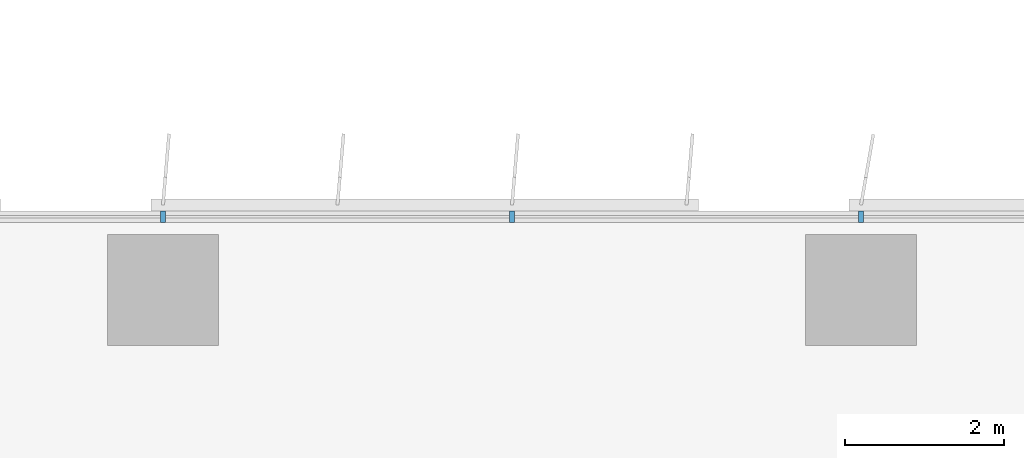
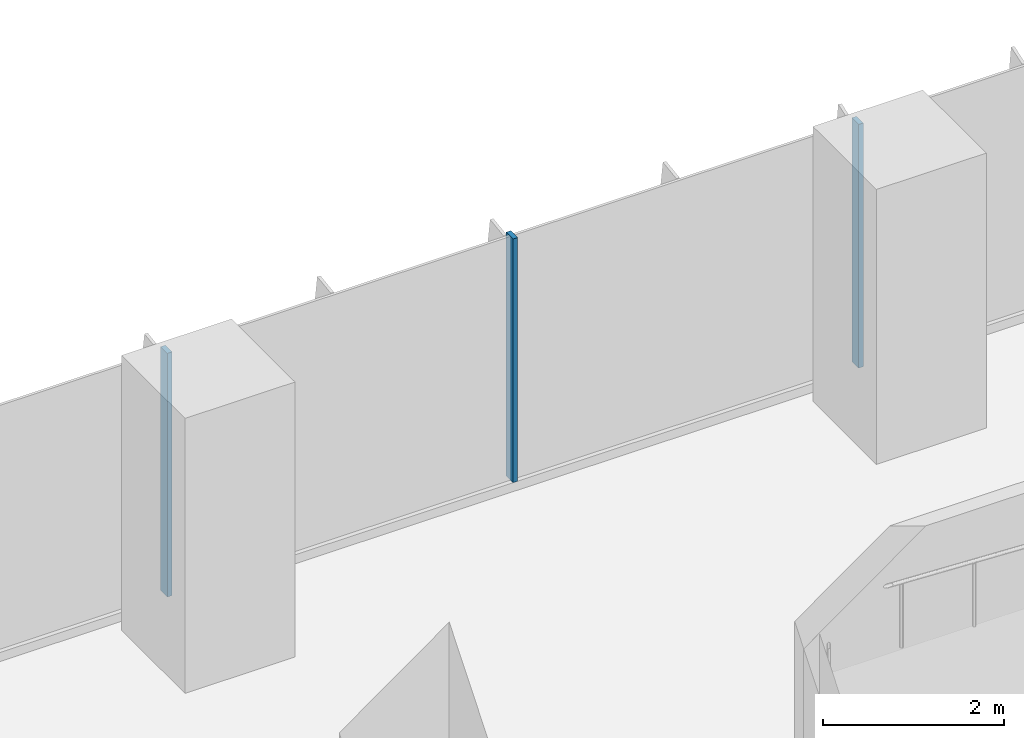
# One storey, part 4 of 24: 3 members, 1 element without a shape of its own.
"""IFC4 building model written with IfcOpenShell, lengths in metres."""

from ifc_helpers import new_model, si_unit, direction, frame, origin, origin_2d, place, context, subcontext, project, spatial, rectangle, extrude, source, transform, mapped, material, material_profile, profile_set, type_object, element, aggregate, save


model = new_model("IFC4")

# Units and contexts
model_context = context("Model", 3, precision=1e-05, world=origin(), true_north=direction((0.0, 1.0)))
body_context = subcontext(model_context, "Body", "Model", "MODEL_VIEW")
ifc_project = project(units=[si_unit("LENGTHUNIT", "METRE"), si_unit("AREAUNIT", "SQUARE_METRE"), si_unit("VOLUMEUNIT", "CUBIC_METRE"), si_unit("PLANEANGLEUNIT", "RADIAN"), si_unit("MASSUNIT", "GRAM", prefix="KILO")], contexts=[model_context])

# Site, building, storey
site_placement = place(None, origin())
site = spatial("IfcSite", under=ifc_project, at=site_placement, CompositionType="ELEMENT")
building_placement = place(site_placement, origin())
building = spatial("IfcBuilding", under=site, at=building_placement, Name="Kemantara Hotel Tower", CompositionType="ELEMENT")
storey_placement = place(building_placement, frame((0.0, 0.0, 59.89990234375)))
storey = spatial("IfcBuildingStorey", under=building, at=storey_placement, Name="L13", CompositionType="ELEMENT", Elevation=59.89990234375)

# Curtain wall, members
ifc_material_1 = material(Name="Low-E tinted double insulated glass 36 mm", Category="glass")
curtain_wall_type = type_object("IfcCurtainWallType", Name="TOWER CURTAIN WALL, FRONT FACES", PredefinedType="USERDEFINED", material=ifc_material_1)
curtain_wall_placement = place(storey_placement, origin())
curtain_wall = element("IfcCurtainWall", 1, at=curtain_wall_placement, inside=storey, type_object=curtain_wall_type, Name="CW4 L13 T1-R07-1", ObjectType="TOWER CURTAIN WALL, FRONT FACES", PredefinedType="USERDEFINED")
ifc_material_2 = material(Name="Aluminium 6063-T6 bronze anodised", Category="aluminium")
ifc_material_profile = material_profile(ifc_material_2, rectangle(XDim=0.14990234375, YDim=0.06005859375, at=origin_2d()), Name="TOWER CURTAIN WALL, FRONT FACES MULLION")
ifc_profile_set = profile_set([ifc_material_profile], Name="Aluminium 6063-T6 bronze anodised")
member_type = type_object("IfcMemberType", Name="TOWER CURTAIN WALL, FRONT FACES MULLION", PredefinedType="MULLION", material=ifc_profile_set)
shared_shape = source(origin(), body_context, "Body", "SweptSolid", [
    extrude(rectangle(XDim=0.14990234375, YDim=0.06005859375, at=origin_2d()), origin(), (0.0, 0.0, 1.0), 3.280029296875),
])
member_1_placement = place(storey_placement, frame((62.60009765625, 26.72509765625, 0.1201171875), z_axis=(0.0, 0.0, 1.0), x_axis=(0.0, -1.0, 0.0)))
member_1 = element("IfcMember", 2, at=member_1_placement, type_object=member_type, Name="CW4 mullion T1-R07-1.5", PredefinedType="MULLION", context=body_context, shape_type="MappedRepresentation", body=[
    mapped(shared_shape, transform((0.0, 0.0, 0.0))),
])
member_2_placement = place(storey_placement, frame((58.199951171875, 26.72509765625, 0.1201171875), z_axis=(0.0, 0.0, 1.0), x_axis=(0.0, -1.0, 0.0)))
member_2 = element("IfcMember", 3, at=member_2_placement, type_object=member_type, Name="CW4 mullion T1-R07-1.6", PredefinedType="MULLION", context=body_context, shape_type="MappedRepresentation", body=[
    mapped(shared_shape, transform((0.0, 0.0, 0.0))),
])
member_3_placement = place(storey_placement, frame((53.800048828125, 26.72509765625, 0.1201171875), z_axis=(0.0, 0.0, 1.0), x_axis=(0.0, -1.0, 0.0)))
member_3 = element("IfcMember", 4, at=member_3_placement, type_object=member_type, Name="CW4 mullion T1-R07-1.7", PredefinedType="MULLION", context=body_context, shape_type="MappedRepresentation", body=[
    mapped(shared_shape, transform((0.0, 0.0, 0.0))),
])
aggregate(curtain_wall, [member_1, member_2, member_3])

save(model, "model.ifc")
